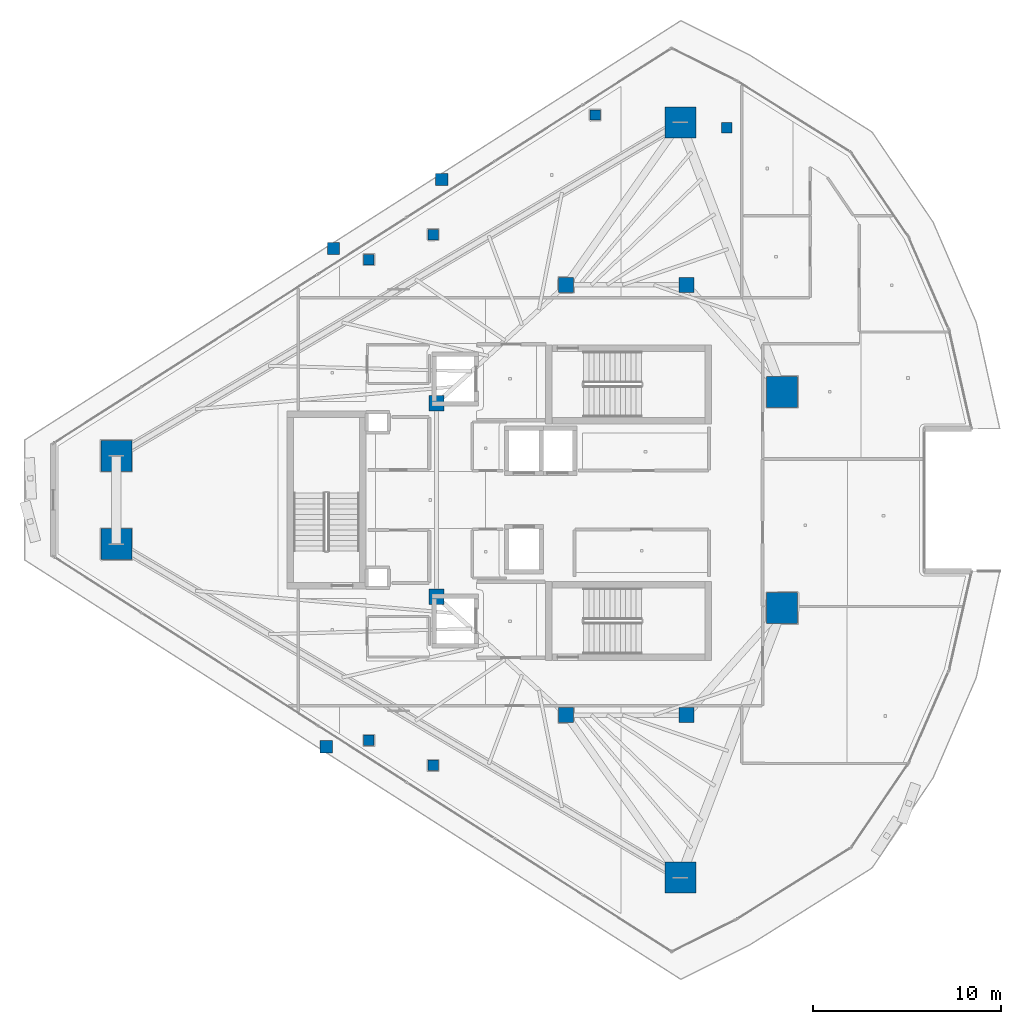
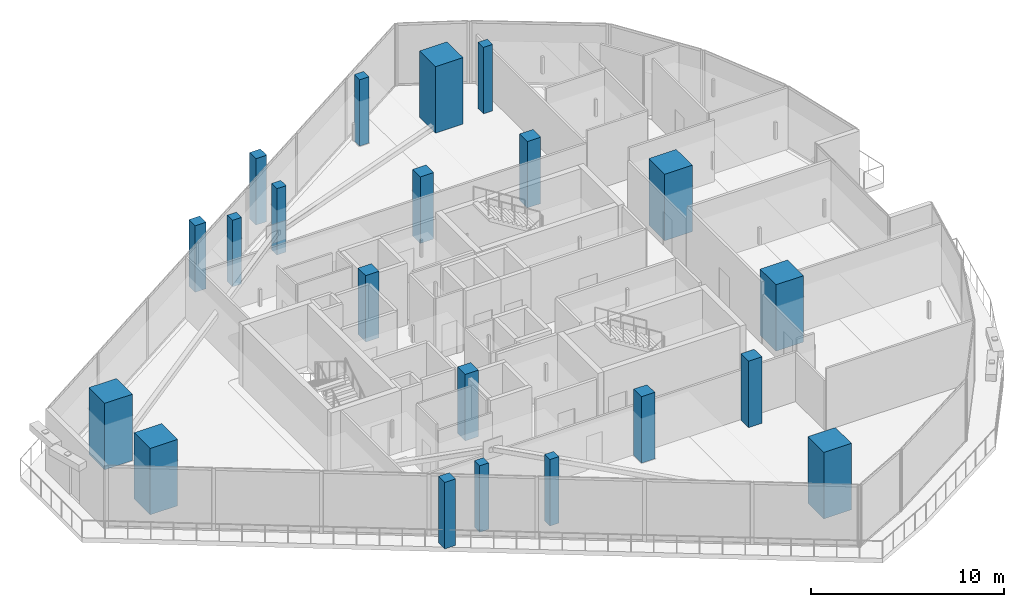
# One storey, part 1 of 34: 21 columns.
"""IFC4 building model written with IfcOpenShell, lengths in metres."""

from ifc_helpers import new_model, si_unit, direction, frame, origin, origin_2d, place, context, subcontext, project, spatial, rectangle, extrude, material, material_profile, profile_set, type_object, element, save


model = new_model("IFC4")

# Units and contexts
model_context = context("Model", 3, precision=1e-05, world=origin(), true_north=direction((0.0, 1.0)))
body_context = subcontext(model_context, "Body", "Model", "MODEL_VIEW")
ifc_project = project(units=[si_unit("LENGTHUNIT", "METRE"), si_unit("AREAUNIT", "SQUARE_METRE"), si_unit("VOLUMEUNIT", "CUBIC_METRE"), si_unit("PLANEANGLEUNIT", "RADIAN"), si_unit("MASSUNIT", "GRAM", prefix="KILO")], contexts=[model_context])

# Site, building, storey
site_placement = place(None, origin())
site = spatial("IfcSite", under=ifc_project, at=site_placement, CompositionType="ELEMENT")
building_placement = place(site_placement, origin())
building = spatial("IfcBuilding", under=site, at=building_placement, Name="Qorvath Tower", CompositionType="ELEMENT")
storey_placement = place(building_placement, frame((0.0, 0.0, 276.60009765625)))
storey = spatial("IfcBuildingStorey", under=building, at=storey_placement, Name="L64", CompositionType="ELEMENT", Elevation=276.60009765625)

# Columns
ifc_material_1 = material(Name="Concrete C60/75", Category="concrete")
ifc_material_profile_1 = material_profile(ifc_material_1, rectangle(XDim=1.64990234375, YDim=1.64990234375, at=origin_2d()), Name="MC 1650x1650")
ifc_profile_set_1 = profile_set([ifc_material_profile_1], Name="Concrete C60/75")
column_type_1 = type_object("IfcColumnType", Name="COL-MC5", PredefinedType="COLUMN", material=ifc_profile_set_1)
for number, where, z_axis, x_axis, name in (
    (1, (-47.53759765625, 2.349609375, 0.0), (0.0, 0.0, 1.0), (1.0, 0.0, 0.0), "Composite Mega-Column MC1 L64"),
    (2, (-47.53759765625, -2.349609375, 0.0), (0.0, 0.0, 1.0), (1.0, 0.0, 0.0), "Composite Mega-Column MC2 L64"),
    (3, (-17.515380859375, -20.1015625, 0.0), (0.0, 0.0, 1.0), (1.0, 0.0, 0.0), "Composite Mega-Column MC3 L64"),
    (4, (-12.0966796875, -5.7578125, 0.0), (0.0, 0.0, 1.0), (1.0, 0.0, 0.0), "Composite Mega-Column MC4 L64"),
    (5, (-12.0966796875, 5.7578125, 0.0), (0.0, 0.0, 1.0), (1.0, 0.0, 0.0), "Composite Mega-Column MC5 L64"),
    (6, (-17.515380859375, 20.1015625, 0.0), (0.0, 0.0, 1.0), (1.0, 0.0, 0.0), "Composite Mega-Column MC6 L64"),
):
    element("IfcColumn", number, at=place(storey_placement, frame(where, z_axis=z_axis, x_axis=x_axis)), inside=storey, type_object=column_type_1, Name=name, PredefinedType="COLUMN", context=body_context, shape_type="SweptSolid", body=[
        extrude(rectangle(XDim=1.64990234375, YDim=1.64990234375, at=origin_2d()), origin(), (0.0, 0.0, 1.0), 4.199951171875),
    ])
ifc_material_2 = material(Name="Concrete C50/60", Category="concrete")
ifc_material_profile_2 = material_profile(ifc_material_2, rectangle(XDim=0.800048828125, YDim=0.800048828125, at=origin_2d()), Name="RC 800x800")
ifc_profile_set_2 = profile_set([ifc_material_profile_2], Name="Concrete C50/60")
column_type_2 = type_object("IfcColumnType", Name="COL-RC4", PredefinedType="COLUMN", material=ifc_profile_set_2)
for number, where, z_axis, x_axis, name in (
    (7, (-23.60009765625, 11.449951171875, 0.0), (0.0, 0.0, 1.0), (1.0, 0.0, 0.0), "Core Spine Column CC1 L64"),
    (8, (-17.199951171875, 11.449951171875, 0.0), (0.0, 0.0, 1.0), (1.0, 0.0, 0.0), "Core Spine Column CC2 L64"),
    (9, (-17.199951171875, -11.449951171875, 0.0), (0.0, 0.0, 1.0), (1.0, 0.0, 0.0), "Core Spine Column CC3 L64"),
    (10, (-23.60009765625, -11.449951171875, 0.0), (0.0, 0.0, 1.0), (1.0, 0.0, 0.0), "Core Spine Column CC4 L64"),
    (11, (-30.5, 5.14990234375, 0.0), (0.0, 0.0, 1.0), (1.0, 0.0, 0.0), "Core Spine Column CC5 L64"),
    (12, (-30.5, -5.14990234375, 0.0), (0.0, 0.0, 1.0), (1.0, 0.0, 0.0), "Core Spine Column CC6 L64"),
):
    element("IfcColumn", number, at=place(storey_placement, frame(where, z_axis=z_axis, x_axis=x_axis)), inside=storey, type_object=column_type_2, Name=name, PredefinedType="COLUMN", context=body_context, shape_type="SweptSolid", body=[
        extrude(rectangle(XDim=0.800048828125, YDim=0.800048828125, at=origin_2d()), origin(), (0.0, 0.0, 1.0), 4.199951171875),
    ])
ifc_material_3 = material(Name="Concrete C45/55", Category="concrete")
ifc_material_profile_3 = material_profile(ifc_material_3, rectangle(XDim=0.64990234375, YDim=0.64990234375, at=origin_2d()), Name="RC 650x650")
ifc_profile_set_3 = profile_set([ifc_material_profile_3], Name="Concrete C45/55")
column_type_3 = type_object("IfcColumnType", Name="COL-RC6", PredefinedType="COLUMN", material=ifc_profile_set_3)
for number, where, z_axis, x_axis, name in (
    (13, (-35.980712890625, 13.380859375, 0.0), (0.0, 0.0, 1.0), (1.0, 0.0, 0.0), "Loggia Frame Pier Column LGF1 L64"),
    (14, (-36.36474609375, -13.135498046875, 0.0), (0.0, 0.0, 1.0), (1.0, 0.0, 0.0), "Loggia Frame Pier Column LGF2 L64"),
    (15, (-30.224853515625, 17.0595703125, 0.0), (0.0, 0.0, 1.0), (1.0, 0.0, 0.0), "Loggia Frame Pier Column LGF3 L64"),
):
    element("IfcColumn", number, at=place(storey_placement, frame(where, z_axis=z_axis, x_axis=x_axis)), inside=storey, type_object=column_type_3, Name=name, PredefinedType="COLUMN", context=body_context, shape_type="SweptSolid", body=[
        extrude(rectangle(XDim=0.64990234375, YDim=0.64990234375, at=origin_2d()), origin(), (0.0, 0.0, 1.0), 4.199951171875),
    ])
ifc_material_4 = material(Name="Concrete C45/55", Category="concrete")
ifc_material_profile_4 = material_profile(ifc_material_4, rectangle(XDim=0.550048828125, YDim=0.550048828125, at=origin_2d()), Name="RC 550x550")
ifc_profile_set_4 = profile_set([ifc_material_profile_4], Name="Concrete C45/55")
column_type_4 = type_object("IfcColumnType", Name="COL-RC7", PredefinedType="COLUMN", material=ifc_profile_set_4)
for number, where, z_axis, x_axis, name in (
    (16, (-34.104248046875, 12.79248046875, 0.0), (0.0, 0.0, 1.0), (1.0, 0.0, 0.0), "Loggia Frame Pier Column LGG1 L64"),
    (17, (-34.104248046875, -12.79248046875, 0.0), (0.0, 0.0, 1.0), (1.0, 0.0, 0.0), "Loggia Frame Pier Column LGG2 L64"),
    (18, (-22.05322265625, 20.494873046875, 0.0), (0.0, 0.0, 1.0), (1.0, 0.0, 0.0), "Loggia Frame Pier Column LGG3 L64"),
    (19, (-30.67724609375, 14.124267578125, 0.0), (0.0, 0.0, 1.0), (1.0, 0.0, 0.0), "Loggia Frame Pier Column LGH1 L64"),
    (20, (-30.67724609375, -14.124267578125, 0.0), (0.0, 0.0, 1.0), (1.0, 0.0, 0.0), "Loggia Frame Pier Column LGH2 L64"),
    (21, (-15.046142578125, 19.818115234375, 0.0), (0.0, 0.0, 1.0), (1.0, 0.0, 0.0), "Loggia Frame Pier Column LGH3 L64"),
):
    element("IfcColumn", number, at=place(storey_placement, frame(where, z_axis=z_axis, x_axis=x_axis)), inside=storey, type_object=column_type_4, Name=name, PredefinedType="COLUMN", context=body_context, shape_type="SweptSolid", body=[
        extrude(rectangle(XDim=0.550048828125, YDim=0.550048828125, at=origin_2d()), origin(), (0.0, 0.0, 1.0), 4.199951171875),
    ])

save(model, "model.ifc")
